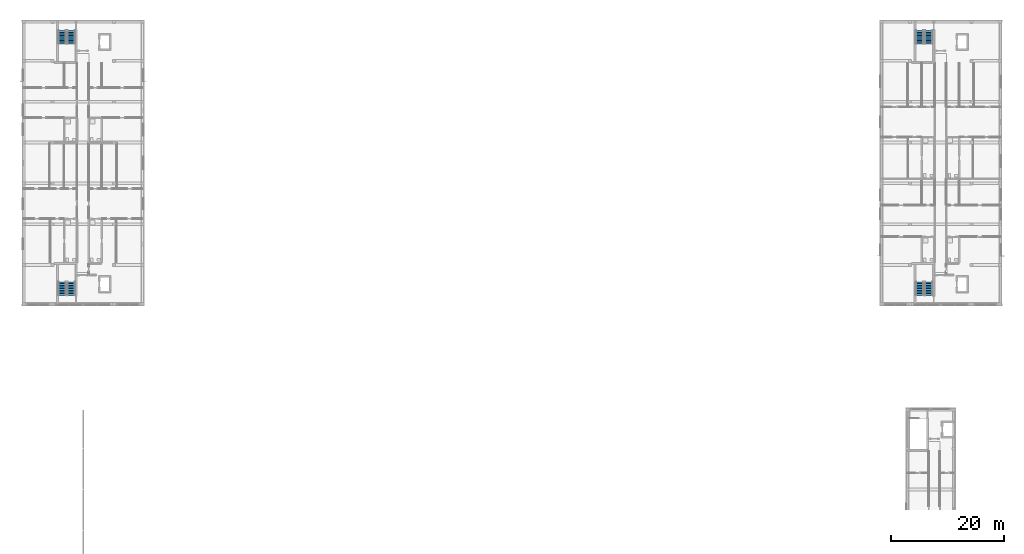
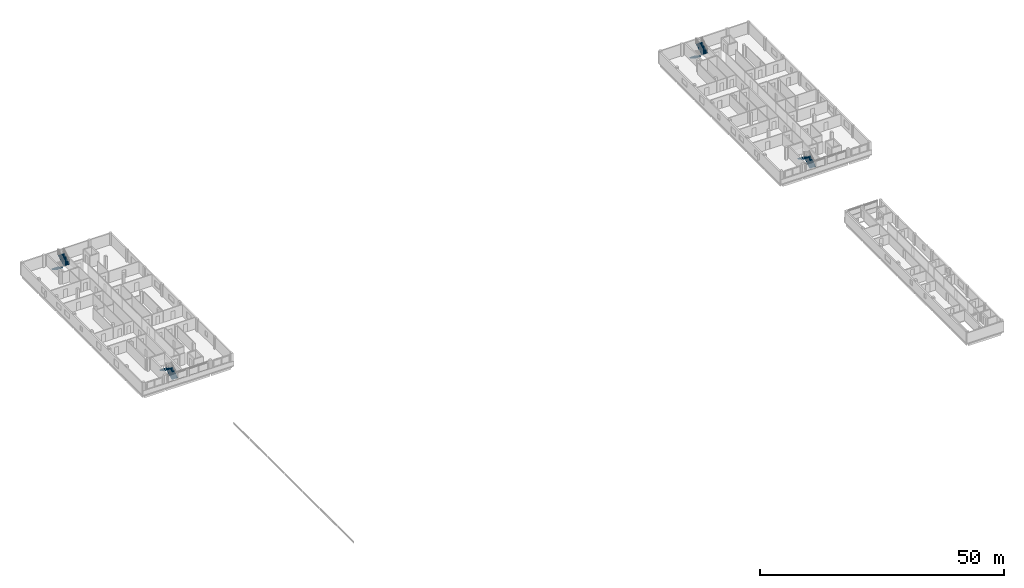
# One storey, part 19 of 28: 8 stair flights, 4 elements without a shape of their own.
"""IFC4 building model written with IfcOpenShell, lengths in metres."""

import ifcopenshell
import ifcopenshell.guid

model = None  # the IFC model being written
_history = None  # IfcOwnerHistory: only IFC2X3 demands one
_inside = {}  # id of a spatial element -> (the spatial element, [elements in it])
_under = {}  # id of a project, library or spatial element -> (it, [spatial elements below it])
_declared = {}  # id of a project -> (the project, [libraries it declares])
_typed = {}  # id of a type object -> (the type object, [elements of that type])
_made_of = {}  # id of a material, layer set ... -> (it, [elements and type objects made of it])


def new_model(schema):
    """Start an empty IFC model of exactly this schema.

    Asked for "IFC4X3", IfcOpenShell would pick the latest addendum, in which some entities
    have other attributes; the version numbers below select the first issue.
    IFC2X3 requires an IfcOwnerHistory on every rooted entity: one is made here for all.
    """
    global model, _history
    if schema == "IFC4X3":
        model = ifcopenshell.file(schema_version=(4, 3, 0, 0))
    else:
        model = ifcopenshell.file(schema=schema)
    _inside.clear()
    _under.clear()
    _declared.clear()
    _typed.clear()
    _made_of.clear()
    _history = None
    if model.schema == "IFC2X3":
        org = make("IfcOrganization", Name="unknown")
        user = make(
            "IfcPersonAndOrganization",
            ThePerson=make("IfcPerson", FamilyName="unknown"),
            TheOrganization=org,
        )
        app = make(
            "IfcApplication",
            ApplicationDeveloper=org,
            Version="unknown",
            ApplicationFullName="unknown",
            ApplicationIdentifier="unknown",
        )
        _history = make(
            "IfcOwnerHistory",
            OwningUser=user,
            OwningApplication=app,
            ChangeAction="ADDED",
            CreationDate=0,
        )
    return model


def make(cls, **values):
    """One entity of the class cls with the attributes given. An attribute that is None is left unset."""
    return model.create_entity(
        cls, **{name: value for name, value in values.items() if value is not None}
    )


def rooted(cls, **values):
    """An entity with a GlobalId (a new one), such as an element, a storey or a relation."""
    return make(cls, GlobalId=ifcopenshell.guid.new(), OwnerHistory=_history, **values)


def si_unit(unit_type, name, prefix=None):
    """IfcSIUnit, for example si_unit("LENGTHUNIT", "METRE", prefix="MILLI")."""
    return make("IfcSIUnit", UnitType=unit_type, Prefix=prefix, Name=name)


def derived_unit(unit_type, elements):
    """IfcDerivedUnit: a product of units, each with its exponent."""
    return make(
        "IfcDerivedUnit",
        Elements=[
            make("IfcDerivedUnitElement", Unit=unit, Exponent=power)
            for unit, power in elements
        ],
        UnitType=unit_type,
    )


def assignment(units):
    """IfcUnitAssignment: the units of a project."""
    return None if units is None else make("IfcUnitAssignment", Units=units)


def point(xyz):
    """IfcCartesianPoint."""
    return None if xyz is None else make("IfcCartesianPoint", Coordinates=xyz)


def direction(xyz):
    """IfcDirection."""
    return None if xyz is None else make("IfcDirection", DirectionRatios=xyz)


def frame(location, z_axis=None, x_axis=None):
    """IfcAxis2Placement3D, a coordinate frame: its origin and axes. An axis left out is left unset."""
    return make(
        "IfcAxis2Placement3D",
        Location=point(location),
        Axis=direction(z_axis),
        RefDirection=direction(x_axis),
    )


def origin():
    """The frame at (0, 0, 0) with its axes left unset."""
    return frame((0.0, 0.0, 0.0))


def place(relative_to, where):
    """IfcLocalPlacement: puts the frame where relative to a parent placement (None: the world)."""
    return make(
        "IfcLocalPlacement", PlacementRelTo=relative_to, RelativePlacement=where
    )


def context(
    kind, dimensions, precision=None, world=None, true_north=None, identifier=None
):
    """IfcGeometricRepresentationContext, for example the 3D "Model" context."""
    return make(
        "IfcGeometricRepresentationContext",
        ContextIdentifier=identifier,
        ContextType=kind,
        CoordinateSpaceDimension=dimensions,
        Precision=precision,
        WorldCoordinateSystem=world,
        TrueNorth=true_north,
    )


def subcontext(parent, identifier, kind, view, scale=None):
    """IfcGeometricRepresentationSubContext, for example "Body" below "Model"."""
    return make(
        "IfcGeometricRepresentationSubContext",
        ContextIdentifier=identifier,
        ContextType=kind,
        ParentContext=parent,
        TargetScale=scale,
        TargetView=view,
    )


def project(units=None, contexts=None):
    """IfcProject with its units and contexts."""
    return rooted(
        "IfcProject",
        Name="project",
        RepresentationContexts=contexts,
        UnitsInContext=assignment(units),
    )


def spatial(cls, under=None, at=None, **own):
    """A site, building, storey or space (cls), placed at a placement, below another one or the project."""
    s = rooted(cls, ObjectPlacement=at, **own)
    if under is not None:
        _under.setdefault(under.id(), (under, []))[1].append(s)
    return s


def polyline(points):
    """IfcPolyline through the points."""
    return make("IfcPolyline", Points=[point(p) for p in points])


def outline(outer, holes=None, kind="AREA"):
    """IfcArbitraryClosedProfileDef: a profile drawn as a closed curve; with holes, ...WithVoids."""
    if holes is None:
        return make("IfcArbitraryClosedProfileDef", ProfileType=kind, OuterCurve=outer)
    return make(
        "IfcArbitraryProfileDefWithVoids",
        ProfileType=kind,
        OuterCurve=outer,
        InnerCurves=holes,
    )


def extrude(swept, where, along, depth):
    """IfcExtrudedAreaSolid: the profile swept, set in the frame where, extruded along a direction by depth."""
    return make(
        "IfcExtrudedAreaSolid",
        SweptArea=swept,
        Position=where,
        ExtrudedDirection=direction(along),
        Depth=depth,
    )


def shape(context_of_items, identifier, shape_type, items):
    """IfcShapeRepresentation: the items that make up one representation, for example the "Body"."""
    return make(
        "IfcShapeRepresentation",
        ContextOfItems=context_of_items,
        RepresentationIdentifier=identifier,
        RepresentationType=shape_type,
        Items=items,
    )


def material(Name=None, Category=None):
    """IfcMaterial."""
    return make("IfcMaterial", Name=Name, Category=Category)


def made_of(thing, what):
    """Note that an element or type object is made of a material, layer set ...; save() writes the relation."""
    if what is not None:
        _made_of.setdefault(what.id(), (what, []))[1].append(thing)
    return thing


def type_object(cls, material=None, **own):
    """A type object (cls), such as IfcWallType, which elements share."""
    return made_of(rooted(cls, **own), material)


def element(
    cls,
    number,
    at=None,
    inside=None,
    cuts=None,
    type_object=None,
    material=None,
    context=None,
    identifier="Body",
    shape_type=None,
    held_by="IfcProductDefinitionShape",
    body=None,
    shapes=None,
    **own,
):
    """One element of the class cls, such as IfcWall. Its Tag is "e" and its number.

    at: its placement. inside: the storey or other place that contains it. cuts: it is an
    opening in that element (IfcRelVoidsElement). A single representation is given by context,
    identifier, shape_type and body (its items); several are given by shapes. held_by: the class
    of the entity that holds the representations. save() writes the other relations.
    """
    e = rooted(cls, Tag="e%d" % number, ObjectPlacement=at, **own)
    if body is not None:
        shapes = [shape(context, identifier, shape_type, body)]
    if shapes is not None:
        e.Representation = make(held_by, Representations=shapes)
    if inside is not None:
        _inside.setdefault(inside.id(), (inside, []))[1].append(e)
    if cuts is not None:
        rooted(
            "IfcRelVoidsElement", RelatingBuildingElement=cuts, RelatedOpeningElement=e
        )
    if type_object is not None:
        _typed.setdefault(type_object.id(), (type_object, []))[1].append(e)
    return made_of(e, material)


def aggregate(whole, parts):
    """IfcRelAggregates: a whole, such as a stair, and the parts it consists of."""
    return rooted("IfcRelAggregates", RelatingObject=whole, RelatedObjects=parts)


def save(model, path):
    """Write the relations noted so far, then the file.

    IfcRelAggregates (storeys below a building ...), IfcRelContainedInSpatialStructure (elements
    in a storey), IfcRelDefinesByType, IfcRelAssociatesMaterial and IfcRelDeclares: one each for
    every whole, place, type object, material and project.
    """
    for whole, parts in _under.values():
        aggregate(whole, parts)
    for where, things in _inside.values():
        rooted(
            "IfcRelContainedInSpatialStructure",
            RelatedElements=things,
            RelatingStructure=where,
        )
    for kind, things in _typed.values():
        rooted("IfcRelDefinesByType", RelatedObjects=things, RelatingType=kind)
    for what, things in _made_of.values():
        rooted("IfcRelAssociatesMaterial", RelatedObjects=things, RelatingMaterial=what)
    for by, libraries in _declared.values():
        rooted("IfcRelDeclares", RelatingContext=by, RelatedDefinitions=libraries)
    model.write(path)


model = new_model("IFC4")

# Units and contexts
model_context = context("Model", 3, precision=1e-05, world=origin(), true_north=direction((0.0, 1.0)))
body_context = subcontext(model_context, "Body", "Model", "MODEL_VIEW")
ifc_project = project(units=[si_unit("LENGTHUNIT", "METRE"), si_unit("AREAUNIT", "SQUARE_METRE"), si_unit("VOLUMEUNIT", "CUBIC_METRE"), si_unit("PLANEANGLEUNIT", "RADIAN"), si_unit("MASSUNIT", "GRAM", prefix="KILO"), derived_unit("THERMALTRANSMITTANCEUNIT", [(si_unit("MASSUNIT", "GRAM", prefix="KILO"), 1), (si_unit("TIMEUNIT", "SECOND"), -3), (si_unit("THERMODYNAMICTEMPERATUREUNIT", "KELVIN"), -1)])], contexts=[model_context])

# Site, building, storey
site_placement = place(None, origin())
site = spatial("IfcSite", under=ifc_project, at=site_placement, CompositionType="ELEMENT")
building_placement = place(site_placement, origin())
building = spatial("IfcBuilding", under=site, at=building_placement, Name="Ochrekiln Boulevard Commons", CompositionType="ELEMENT")
storey_placement = place(building_placement, frame((0.0, 0.0, 34.125)))
storey = spatial("IfcBuildingStorey", under=building, at=storey_placement, Name="L10", CompositionType="ELEMENT", Elevation=34.125)

# Stair, stair flights
ifc_material = material(Name="Concrete C35/45", Category="concrete")
stair_type = type_object("IfcStairType", Name="STR-DL-315", PredefinedType="TWO_STRAIGHT_RUN_STAIR", material=ifc_material)
stair_1_placement = place(storey_placement, origin())
stair_1 = element("IfcStair", 1, at=stair_1_placement, inside=storey, type_object=stair_type, Name="L10 Enclosed Exit Stair ST-A1", PredefinedType="TWO_STRAIGHT_RUN_STAIR")
stair_flight_type = type_object("IfcStairFlightType", Name="SFL-ST-315", PredefinedType="STRAIGHT", material=ifc_material)
stair_flight_1_placement = place(storey_placement, frame((8.699951171875, 70.27001953125, 0.0), z_axis=(0.0, 0.0, 1.0), x_axis=(0.0, 1.0, 0.0)))
stair_flight_1 = element("IfcStairFlight", 2, at=stair_flight_1_placement, type_object=stair_flight_type, Name="ST-A1 flight 1", NumberOfRisers=9, NumberOfTreads=8, PredefinedType="STRAIGHT", RiserHeight=0.175, TreadLength=0.29, context=body_context, shape_type="SweptSolid", body=[
    extrude(outline(polyline([(0.0, 0.0), (0.0, 0.175048828125), (0.2900390625, 0.175048828125), (0.2900390625, 0.35009765625), (0.580078125, 0.35009765625), (0.580078125, 0.52490234375), (0.8701171875, 0.52490234375), (0.8701171875, 0.699951171875), (1.159912109375, 0.699951171875), (1.159912109375, 0.875), (1.449951171875, 0.875), (1.449951171875, 1.050048828125), (1.739990234375, 1.050048828125), (1.739990234375, 1.22509765625), (2.030029296875, 1.22509765625), (2.030029296875, 1.39990234375), (2.320068359375, 1.39990234375), (2.320068359375, 1.574951171875), (2.320068359375, 1.213134765625), (0.3095703125, 0.0), (0.0, 0.0)])), frame((0.0, 0.699951171875, 0.0), z_axis=(0.0, -1.0, 0.0), x_axis=(1.0, 0.0, 0.0)), (0.0, 0.0, 1.0), 1.39990234375),
])
stair_flight_2_placement = place(storey_placement, frame((7.10009765625, 72.590087890625, 1.574951171875), z_axis=(0.0, 0.0, 1.0), x_axis=(0.0, -1.0, 0.0)))
stair_flight_2 = element("IfcStairFlight", 3, at=stair_flight_2_placement, type_object=stair_flight_type, Name="ST-A1 flight 2", NumberOfRisers=9, NumberOfTreads=8, PredefinedType="STRAIGHT", RiserHeight=0.175, TreadLength=0.29, context=body_context, shape_type="SweptSolid", body=[
    extrude(outline(polyline([(0.0, 0.0), (0.0, 0.175048828125), (0.2900390625, 0.175048828125), (0.2900390625, 0.35009765625), (0.580078125, 0.35009765625), (0.580078125, 0.52490234375), (0.8701171875, 0.52490234375), (0.8701171875, 0.699951171875), (1.159912109375, 0.699951171875), (1.159912109375, 0.875), (1.449951171875, 0.875), (1.449951171875, 1.050048828125), (1.739990234375, 1.050048828125), (1.739990234375, 1.22509765625), (2.030029296875, 1.22509765625), (2.030029296875, 1.39990234375), (2.320068359375, 1.39990234375), (2.320068359375, 1.574951171875), (2.320068359375, 1.213134765625), (0.3095703125, 0.0), (0.0, 0.0)])), frame((0.0, 0.699951171875, 0.0), z_axis=(0.0, -1.0, 0.0), x_axis=(1.0, 0.0, 0.0)), (0.0, 0.0, 1.0), 1.39990234375),
])
aggregate(stair_1, [stair_flight_1, stair_flight_2])

stair_2_placement = place(storey_placement, origin())
stair_2 = element("IfcStair", 4, at=stair_2_placement, inside=storey, type_object=stair_type, Name="L10 Enclosed Exit Stair ST-A2", PredefinedType="TWO_STRAIGHT_RUN_STAIR")
stair_flight_3_placement = place(storey_placement, frame((7.10009765625, 116.929931640625, 0.0), z_axis=(0.0, 0.0, 1.0), x_axis=(0.0, -1.0, 0.0)))
stair_flight_3 = element("IfcStairFlight", 5, at=stair_flight_3_placement, type_object=stair_flight_type, Name="ST-A2 flight 1", NumberOfRisers=9, NumberOfTreads=8, PredefinedType="STRAIGHT", RiserHeight=0.175, TreadLength=0.29, context=body_context, shape_type="SweptSolid", body=[
    extrude(outline(polyline([(0.0, 0.0), (0.0, 0.175048828125), (0.2900390625, 0.175048828125), (0.2900390625, 0.35009765625), (0.580078125, 0.35009765625), (0.580078125, 0.52490234375), (0.8701171875, 0.52490234375), (0.8701171875, 0.699951171875), (1.159912109375, 0.699951171875), (1.159912109375, 0.875), (1.449951171875, 0.875), (1.449951171875, 1.050048828125), (1.739990234375, 1.050048828125), (1.739990234375, 1.22509765625), (2.030029296875, 1.22509765625), (2.030029296875, 1.39990234375), (2.320068359375, 1.39990234375), (2.320068359375, 1.574951171875), (2.320068359375, 1.213134765625), (0.3095703125, 0.0), (0.0, 0.0)])), frame((0.0, 0.699951171875, 0.0), z_axis=(0.0, -1.0, 0.0), x_axis=(1.0, 0.0, 0.0)), (0.0, 0.0, 1.0), 1.39990234375),
])
stair_flight_4_placement = place(storey_placement, frame((8.699951171875, 114.610107421875, 1.574951171875), z_axis=(0.0, 0.0, 1.0), x_axis=(0.0, 1.0, 0.0)))
stair_flight_4 = element("IfcStairFlight", 6, at=stair_flight_4_placement, type_object=stair_flight_type, Name="ST-A2 flight 2", NumberOfRisers=9, NumberOfTreads=8, PredefinedType="STRAIGHT", RiserHeight=0.175, TreadLength=0.29, context=body_context, shape_type="SweptSolid", body=[
    extrude(outline(polyline([(0.0, 0.0), (0.0, 0.175048828125), (0.2900390625, 0.175048828125), (0.2900390625, 0.35009765625), (0.580078125, 0.35009765625), (0.580078125, 0.52490234375), (0.8701171875, 0.52490234375), (0.8701171875, 0.699951171875), (1.159912109375, 0.699951171875), (1.159912109375, 0.875), (1.449951171875, 0.875), (1.449951171875, 1.050048828125), (1.739990234375, 1.050048828125), (1.739990234375, 1.22509765625), (2.030029296875, 1.22509765625), (2.030029296875, 1.39990234375), (2.320068359375, 1.39990234375), (2.320068359375, 1.574951171875), (2.320068359375, 1.213134765625), (0.3095703125, 0.0), (0.0, 0.0)])), frame((0.0, 0.699951171875, 0.0), z_axis=(0.0, -1.0, 0.0), x_axis=(1.0, 0.0, 0.0)), (0.0, 0.0, 1.0), 1.39990234375),
])
aggregate(stair_2, [stair_flight_3, stair_flight_4])

stair_3_placement = place(storey_placement, origin())
stair_3 = element("IfcStair", 7, at=stair_3_placement, inside=storey, type_object=stair_type, Name="L10 Enclosed Exit Stair ST-B1", PredefinedType="TWO_STRAIGHT_RUN_STAIR")
stair_flight_5_placement = place(storey_placement, frame((159.89990234375, 70.27001953125, 0.0), z_axis=(0.0, 0.0, 1.0), x_axis=(0.0, 1.0, 0.0)))
stair_flight_5 = element("IfcStairFlight", 8, at=stair_flight_5_placement, type_object=stair_flight_type, Name="ST-B1 flight 1", NumberOfRisers=9, NumberOfTreads=8, PredefinedType="STRAIGHT", RiserHeight=0.175, TreadLength=0.29, context=body_context, shape_type="SweptSolid", body=[
    extrude(outline(polyline([(0.0, 0.0), (0.0, 0.175048828125), (0.2900390625, 0.175048828125), (0.2900390625, 0.35009765625), (0.580078125, 0.35009765625), (0.580078125, 0.52490234375), (0.8701171875, 0.52490234375), (0.8701171875, 0.699951171875), (1.159912109375, 0.699951171875), (1.159912109375, 0.875), (1.449951171875, 0.875), (1.449951171875, 1.050048828125), (1.739990234375, 1.050048828125), (1.739990234375, 1.22509765625), (2.030029296875, 1.22509765625), (2.030029296875, 1.39990234375), (2.320068359375, 1.39990234375), (2.320068359375, 1.574951171875), (2.320068359375, 1.213134765625), (0.3095703125, 0.0), (0.0, 0.0)])), frame((0.0, 0.699951171875, 0.0), z_axis=(0.0, -1.0, 0.0), x_axis=(1.0, 0.0, 0.0)), (0.0, 0.0, 1.0), 1.39990234375),
])
stair_flight_6_placement = place(storey_placement, frame((158.300048828125, 72.590087890625, 1.574951171875), z_axis=(0.0, 0.0, 1.0), x_axis=(0.0, -1.0, 0.0)))
stair_flight_6 = element("IfcStairFlight", 9, at=stair_flight_6_placement, type_object=stair_flight_type, Name="ST-B1 flight 2", NumberOfRisers=9, NumberOfTreads=8, PredefinedType="STRAIGHT", RiserHeight=0.175, TreadLength=0.29, context=body_context, shape_type="SweptSolid", body=[
    extrude(outline(polyline([(0.0, 0.0), (0.0, 0.175048828125), (0.2900390625, 0.175048828125), (0.2900390625, 0.35009765625), (0.580078125, 0.35009765625), (0.580078125, 0.52490234375), (0.8701171875, 0.52490234375), (0.8701171875, 0.699951171875), (1.159912109375, 0.699951171875), (1.159912109375, 0.875), (1.449951171875, 0.875), (1.449951171875, 1.050048828125), (1.739990234375, 1.050048828125), (1.739990234375, 1.22509765625), (2.030029296875, 1.22509765625), (2.030029296875, 1.39990234375), (2.320068359375, 1.39990234375), (2.320068359375, 1.574951171875), (2.320068359375, 1.213134765625), (0.3095703125, 0.0), (0.0, 0.0)])), frame((0.0, 0.699951171875, 0.0), z_axis=(0.0, -1.0, 0.0), x_axis=(1.0, 0.0, 0.0)), (0.0, 0.0, 1.0), 1.39990234375),
])
aggregate(stair_3, [stair_flight_5, stair_flight_6])

stair_4_placement = place(storey_placement, origin())
stair_4 = element("IfcStair", 10, at=stair_4_placement, inside=storey, type_object=stair_type, Name="L10 Enclosed Exit Stair ST-B2", PredefinedType="TWO_STRAIGHT_RUN_STAIR")
stair_flight_7_placement = place(storey_placement, frame((158.300048828125, 116.929931640625, 0.0), z_axis=(0.0, 0.0, 1.0), x_axis=(0.0, -1.0, 0.0)))
stair_flight_7 = element("IfcStairFlight", 11, at=stair_flight_7_placement, type_object=stair_flight_type, Name="ST-B2 flight 1", NumberOfRisers=9, NumberOfTreads=8, PredefinedType="STRAIGHT", RiserHeight=0.175, TreadLength=0.29, context=body_context, shape_type="SweptSolid", body=[
    extrude(outline(polyline([(0.0, 0.0), (0.0, 0.175048828125), (0.2900390625, 0.175048828125), (0.2900390625, 0.35009765625), (0.580078125, 0.35009765625), (0.580078125, 0.52490234375), (0.8701171875, 0.52490234375), (0.8701171875, 0.699951171875), (1.159912109375, 0.699951171875), (1.159912109375, 0.875), (1.449951171875, 0.875), (1.449951171875, 1.050048828125), (1.739990234375, 1.050048828125), (1.739990234375, 1.22509765625), (2.030029296875, 1.22509765625), (2.030029296875, 1.39990234375), (2.320068359375, 1.39990234375), (2.320068359375, 1.574951171875), (2.320068359375, 1.213134765625), (0.3095703125, 0.0), (0.0, 0.0)])), frame((0.0, 0.699951171875, 0.0), z_axis=(0.0, -1.0, 0.0), x_axis=(1.0, 0.0, 0.0)), (0.0, 0.0, 1.0), 1.39990234375),
])
stair_flight_8_placement = place(storey_placement, frame((159.89990234375, 114.610107421875, 1.574951171875), z_axis=(0.0, 0.0, 1.0), x_axis=(0.0, 1.0, 0.0)))
stair_flight_8 = element("IfcStairFlight", 12, at=stair_flight_8_placement, type_object=stair_flight_type, Name="ST-B2 flight 2", NumberOfRisers=9, NumberOfTreads=8, PredefinedType="STRAIGHT", RiserHeight=0.175, TreadLength=0.29, context=body_context, shape_type="SweptSolid", body=[
    extrude(outline(polyline([(0.0, 0.0), (0.0, 0.175048828125), (0.2900390625, 0.175048828125), (0.2900390625, 0.35009765625), (0.580078125, 0.35009765625), (0.580078125, 0.52490234375), (0.8701171875, 0.52490234375), (0.8701171875, 0.699951171875), (1.159912109375, 0.699951171875), (1.159912109375, 0.875), (1.449951171875, 0.875), (1.449951171875, 1.050048828125), (1.739990234375, 1.050048828125), (1.739990234375, 1.22509765625), (2.030029296875, 1.22509765625), (2.030029296875, 1.39990234375), (2.320068359375, 1.39990234375), (2.320068359375, 1.574951171875), (2.320068359375, 1.213134765625), (0.3095703125, 0.0), (0.0, 0.0)])), frame((0.0, 0.699951171875, 0.0), z_axis=(0.0, -1.0, 0.0), x_axis=(1.0, 0.0, 0.0)), (0.0, 0.0, 1.0), 1.39990234375),
])
aggregate(stair_4, [stair_flight_7, stair_flight_8])

save(model, "model.ifc")
